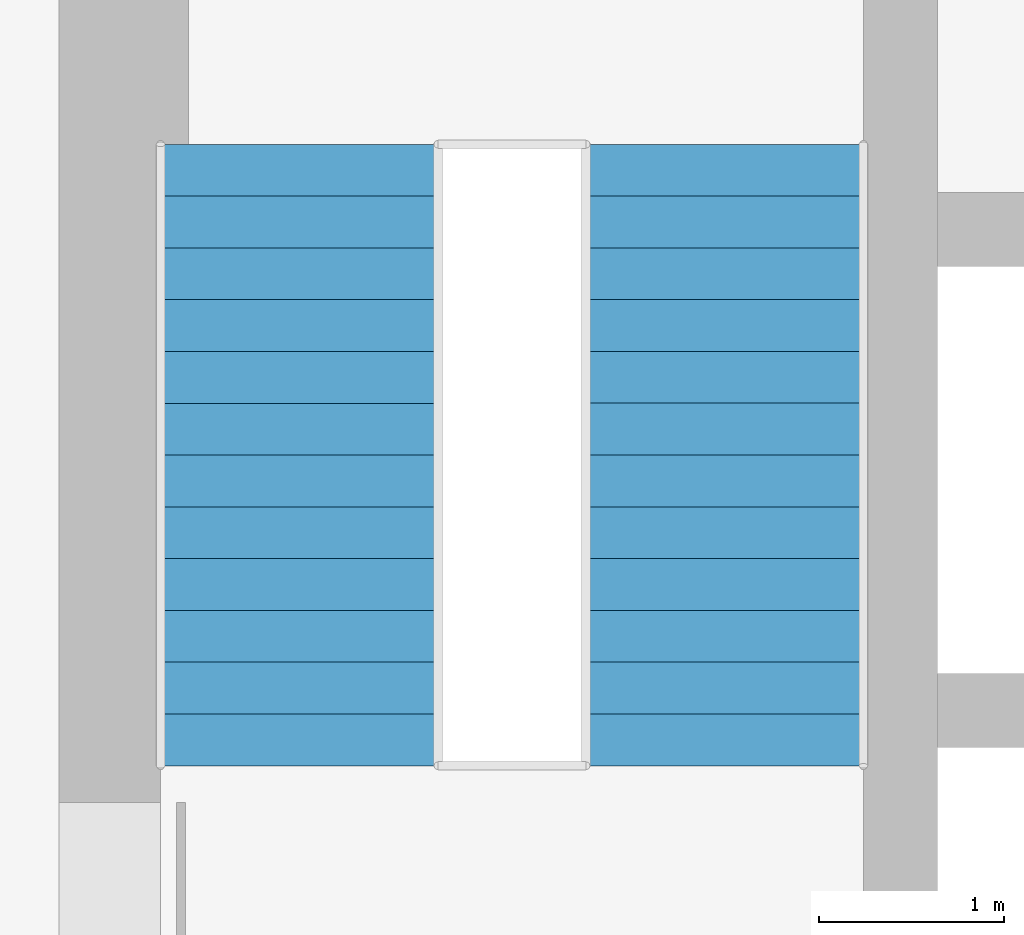
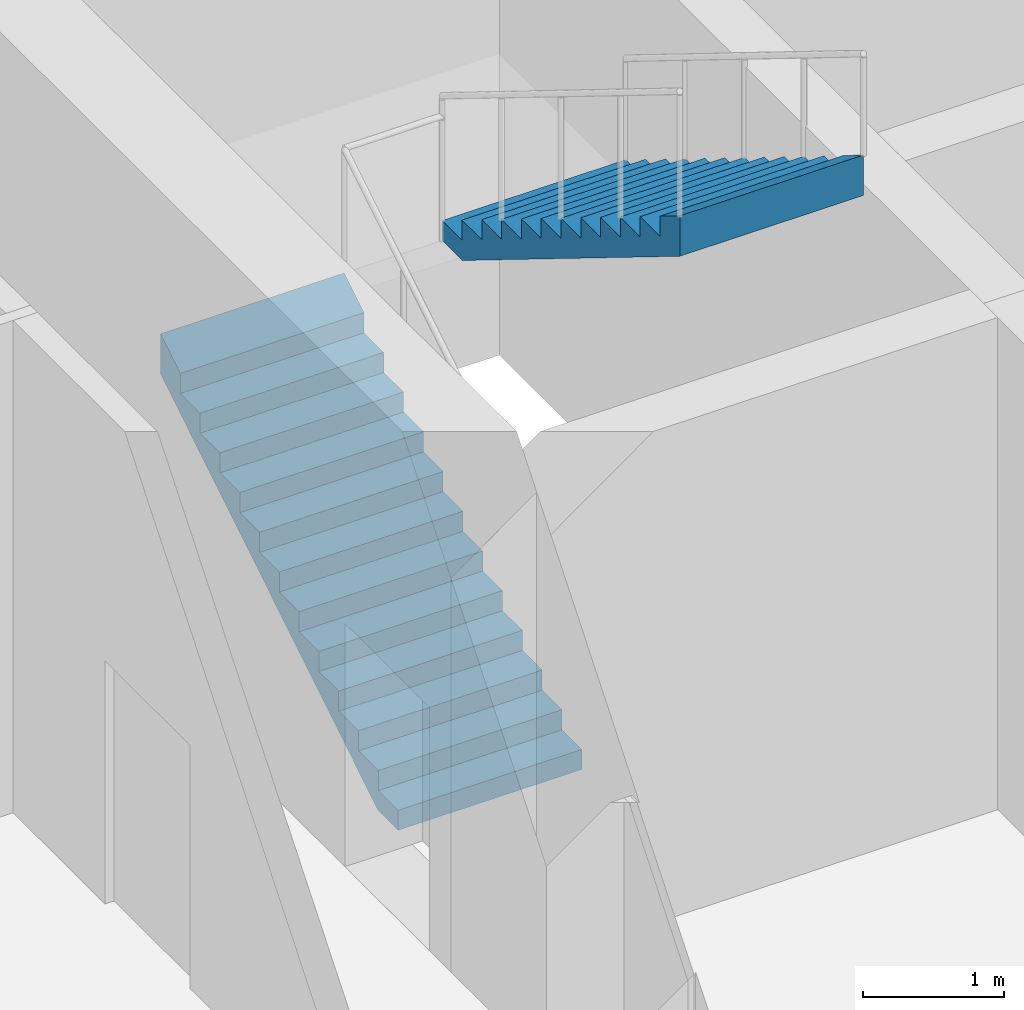
# One storey, part 18 of 31: 2 stair flights, 1 element without a shape of its own.
"""IFC4 building model written with IfcOpenShell, lengths in metres."""

from ifc_helpers import new_model, si_unit, direction, frame, origin, place, context, subcontext, project, spatial, triangles, material, type_object, element, aggregate, save


model = new_model("IFC4")

# Units and contexts
model_context = context("Model", 3, precision=1e-05, world=origin(), true_north=direction((0.0, 1.0)))
body_context = subcontext(model_context, "Body", "Model", "MODEL_VIEW")
ifc_project = project(units=[si_unit("LENGTHUNIT", "METRE"), si_unit("AREAUNIT", "SQUARE_METRE"), si_unit("VOLUMEUNIT", "CUBIC_METRE"), si_unit("PLANEANGLEUNIT", "RADIAN"), si_unit("MASSUNIT", "GRAM", prefix="KILO")], contexts=[model_context])

# Site, building, storey
site_placement = place(None, origin())
site = spatial("IfcSite", under=ifc_project, at=site_placement, CompositionType="ELEMENT")
building_placement = place(site_placement, origin())
building = spatial("IfcBuilding", under=site, at=building_placement, Name="Ludao Terraces", CompositionType="ELEMENT")
storey_placement = place(building_placement, frame((0.0, 0.0, 15.0)))
storey = spatial("IfcBuildingStorey", under=building, at=storey_placement, Name="L03", CompositionType="ELEMENT", Elevation=15.0)

# Stair, stair flights
ifc_material = material(Name="Concrete C40", Category="concrete")
stair_type = type_object("IfcStairType", Name="INT Stair", PredefinedType="HALF_TURN_STAIR", material=ifc_material)
stair_placement = place(storey_placement, origin())
stair = element("IfcStair", 1, at=stair_placement, inside=storey, type_object=stair_type, Name="EXIT STAIR 1", PredefinedType="HALF_TURN_STAIR")
stair_flight_type = type_object("IfcStairFlightType", Name="INT Stair flight", PredefinedType="STRAIGHT", material=ifc_material)
stair_flight_1_placement = place(storey_placement, frame((76.199951171875, 79.0, 0.0), z_axis=(0.0, 0.0, 1.0), x_axis=(0.0, 1.0, 0.0)))
stair_flight_1 = element("IfcStairFlight", 2, at=stair_flight_1_placement, type_object=stair_flight_type, Name="ST1 flight 1", NumberOfRisers=13, NumberOfTreads=12, PredefinedType="STRAIGHT", RiserHeight=0.173077, TreadLength=0.28, context=body_context, shape_type="Tessellation", body=[
    triangles([(0.0, -0.75, 0.0), (0.0, -0.5, 0.0), (0.0, -0.25, 0.0), (0.0, 0.0, 0.0), (0.0, 0.25, 0.0), (0.0, 0.5, 0.0), (0.0, 0.75, 0.0), (0.0, -0.75, 0.173095703125), (0.0, -0.5, 0.173095703125), (0.0, -0.25, 0.173095703125), (0.0, 0.0, 0.173095703125), (0.0, 0.25, 0.173095703125), (0.0, 0.5, 0.173095703125), (0.0, 0.75, 0.173095703125), (0.280029296875, -0.75, 0.173095703125), (0.280029296875, -0.5, 0.173095703125), (0.280029296875, -0.25, 0.173095703125), (0.280029296875, 0.0, 0.173095703125), (0.280029296875, 0.25, 0.173095703125), (0.280029296875, 0.5, 0.173095703125), (0.280029296875, 0.75, 0.173095703125), (0.280029296875, -0.75, 0.34619140625), (0.280029296875, -0.5, 0.34619140625), (0.280029296875, -0.25, 0.34619140625), (0.280029296875, 0.0, 0.34619140625), (0.280029296875, 0.25, 0.34619140625), (0.280029296875, 0.5, 0.34619140625), (0.280029296875, 0.75, 0.34619140625), (0.56005859375, -0.75, 0.34619140625), (0.56005859375, -0.5, 0.34619140625), (0.56005859375, -0.25, 0.34619140625), (0.56005859375, 0.0, 0.34619140625), (0.56005859375, 0.25, 0.34619140625), (0.56005859375, 0.5, 0.34619140625), (0.56005859375, 0.75, 0.34619140625), (0.56005859375, -0.75, 0.519287109375), (0.56005859375, -0.5, 0.519287109375), (0.56005859375, -0.25, 0.519287109375), (0.56005859375, 0.0, 0.519287109375), (0.56005859375, 0.25, 0.519287109375), (0.56005859375, 0.5, 0.519287109375), (0.56005859375, 0.75, 0.519287109375), (0.840087890625, -0.75, 0.519287109375), (0.840087890625, -0.5, 0.519287109375), (0.840087890625, -0.25, 0.519287109375), (0.840087890625, 0.0, 0.519287109375), (0.840087890625, 0.25, 0.519287109375), (0.840087890625, 0.5, 0.519287109375), (0.840087890625, 0.75, 0.519287109375), (0.840087890625, -0.75, 0.6923828125), (0.840087890625, -0.5, 0.6923828125), (0.840087890625, -0.25, 0.6923828125), (0.840087890625, 0.0, 0.6923828125), (0.840087890625, 0.25, 0.6923828125), (0.840087890625, 0.5, 0.6923828125), (0.840087890625, 0.75, 0.6923828125), (1.1201171875, -0.75, 0.6923828125), (1.1201171875, -0.5, 0.6923828125), (1.1201171875, -0.25, 0.6923828125), (1.1201171875, 0.0, 0.6923828125), (1.1201171875, 0.25, 0.6923828125), (1.1201171875, 0.5, 0.6923828125), (1.1201171875, 0.75, 0.6923828125), (1.1201171875, -0.75, 0.865478515625), (1.1201171875, -0.5, 0.865478515625), (1.1201171875, -0.25, 0.865478515625), (1.1201171875, 0.0, 0.865478515625), (1.1201171875, 0.25, 0.865478515625), (1.1201171875, 0.5, 0.865478515625), (1.1201171875, 0.75, 0.865478515625), (1.39990234375, -0.75, 0.865478515625), (1.39990234375, -0.5, 0.865478515625), (1.39990234375, -0.25, 0.865478515625), (1.39990234375, 0.0, 0.865478515625), (1.39990234375, 0.25, 0.865478515625), (1.39990234375, 0.5, 0.865478515625), (1.39990234375, 0.75, 0.865478515625), (1.39990234375, -0.75, 1.03857421875), (1.39990234375, -0.5, 1.03857421875), (1.39990234375, -0.25, 1.03857421875), (1.39990234375, 0.0, 1.03857421875), (1.39990234375, 0.25, 1.03857421875), (1.39990234375, 0.5, 1.03857421875), (1.39990234375, 0.75, 1.03857421875), (1.679931640625, -0.75, 1.03857421875), (1.679931640625, -0.5, 1.03857421875), (1.679931640625, -0.25, 1.03857421875), (1.679931640625, 0.0, 1.03857421875), (1.679931640625, 0.25, 1.03857421875), (1.679931640625, 0.5, 1.03857421875), (1.679931640625, 0.75, 1.03857421875), (1.679931640625, -0.75, 1.21142578125), (1.679931640625, -0.5, 1.21142578125), (1.679931640625, -0.25, 1.21142578125), (1.679931640625, 0.0, 1.21142578125), (1.679931640625, 0.25, 1.21142578125), (1.679931640625, 0.5, 1.21142578125), (1.679931640625, 0.75, 1.21142578125), (1.9599609375, -0.75, 1.21142578125), (1.9599609375, -0.5, 1.21142578125), (1.9599609375, -0.25, 1.21142578125), (1.9599609375, 0.0, 1.21142578125), (1.9599609375, 0.25, 1.21142578125), (1.9599609375, 0.5, 1.21142578125), (1.9599609375, 0.75, 1.21142578125), (1.9599609375, -0.75, 1.384521484375), (1.9599609375, -0.5, 1.384521484375), (1.9599609375, -0.25, 1.384521484375), (1.9599609375, 0.0, 1.384521484375), (1.9599609375, 0.25, 1.384521484375), (1.9599609375, 0.5, 1.384521484375), (1.9599609375, 0.75, 1.384521484375), (2.239990234375, -0.75, 1.384521484375), (2.239990234375, -0.5, 1.384521484375), (2.239990234375, -0.25, 1.384521484375), (2.239990234375, 0.0, 1.384521484375), (2.239990234375, 0.25, 1.384521484375), (2.239990234375, 0.5, 1.384521484375), (2.239990234375, 0.75, 1.384521484375), (2.239990234375, -0.75, 1.5576171875), (2.239990234375, -0.5, 1.5576171875), (2.239990234375, -0.25, 1.5576171875), (2.239990234375, 0.0, 1.5576171875), (2.239990234375, 0.25, 1.5576171875), (2.239990234375, 0.5, 1.5576171875), (2.239990234375, 0.75, 1.5576171875), (2.52001953125, -0.75, 1.5576171875), (2.52001953125, -0.5, 1.5576171875), (2.52001953125, -0.25, 1.5576171875), (2.52001953125, 0.0, 1.5576171875), (2.52001953125, 0.25, 1.5576171875), (2.52001953125, 0.5, 1.5576171875), (2.52001953125, 0.75, 1.5576171875), (2.52001953125, -0.75, 1.730712890625), (2.52001953125, -0.5, 1.730712890625), (2.52001953125, -0.25, 1.730712890625), (2.52001953125, 0.0, 1.730712890625), (2.52001953125, 0.25, 1.730712890625), (2.52001953125, 0.5, 1.730712890625), (2.52001953125, 0.75, 1.730712890625), (2.800048828125, -0.75, 1.730712890625), (2.800048828125, -0.5, 1.730712890625), (2.800048828125, -0.25, 1.730712890625), (2.800048828125, 0.0, 1.730712890625), (2.800048828125, 0.25, 1.730712890625), (2.800048828125, 0.5, 1.730712890625), (2.800048828125, 0.75, 1.730712890625), (2.800048828125, -0.75, 1.90380859375), (2.800048828125, -0.5, 1.90380859375), (2.800048828125, -0.25, 1.90380859375), (2.800048828125, 0.0, 1.90380859375), (2.800048828125, 0.25, 1.90380859375), (2.800048828125, 0.5, 1.90380859375), (2.800048828125, 0.75, 1.90380859375), (3.080078125, -0.75, 1.90380859375), (3.080078125, -0.5, 1.90380859375), (3.080078125, -0.25, 1.90380859375), (3.080078125, 0.0, 1.90380859375), (3.080078125, 0.25, 1.90380859375), (3.080078125, 0.5, 1.90380859375), (3.080078125, 0.75, 1.90380859375), (3.080078125, -0.75, 2.076904296875), (3.080078125, -0.5, 2.076904296875), (3.080078125, -0.25, 2.076904296875), (3.080078125, 0.0, 2.076904296875), (3.080078125, 0.25, 2.076904296875), (3.080078125, 0.5, 2.076904296875), (3.080078125, 0.75, 2.076904296875), (3.360107421875, -0.75, 2.25), (3.360107421875, -0.5, 2.25), (3.360107421875, -0.25, 2.25), (3.360107421875, 0.0, 2.25), (3.360107421875, 0.25, 2.25), (3.360107421875, 0.5, 2.25), (3.360107421875, 0.75, 2.25), (3.360107421875, -0.75, 1.900634765625), (3.360107421875, -0.5, 1.900634765625), (3.360107421875, -0.25, 1.900634765625), (3.360107421875, 0.0, 1.900634765625), (3.360107421875, 0.25, 1.900634765625), (3.360107421875, 0.5, 1.900634765625), (3.360107421875, 0.75, 1.900634765625), (0.28515625, -0.75, 0.0), (0.28515625, -0.5, 0.0), (0.28515625, -0.25, 0.0), (0.28515625, 0.0, 0.0), (0.28515625, 0.25, 0.0), (0.28515625, 0.5, 0.0), (0.28515625, 0.75, 0.0)], [[1, 183, 176], [7, 182, 189], [176, 169, 162], [182, 168, 175], [176, 162, 155], [182, 161, 168], [176, 155, 148], [182, 154, 161], [176, 148, 141], [182, 147, 154], [141, 134, 127], [147, 133, 140], [176, 141, 127], [182, 133, 147], [127, 120, 113], [133, 119, 126], [176, 127, 113], [182, 119, 133], [113, 106, 99], [119, 105, 112], [176, 113, 99], [182, 105, 119], [1, 176, 99], [7, 105, 182], [99, 92, 85], [105, 91, 98], [85, 78, 71], [91, 77, 84], [99, 85, 71], [105, 77, 91], [71, 64, 57], [77, 63, 70], [99, 71, 57], [105, 63, 77], [57, 50, 43], [63, 49, 56], [99, 57, 43], [105, 49, 63], [43, 36, 29], [49, 35, 42], [99, 43, 29], [105, 35, 49], [29, 22, 15], [35, 21, 28], [99, 29, 15], [105, 21, 35], [1, 99, 15], [7, 21, 105], [15, 8, 1], [21, 7, 14], [1, 9, 2], [1, 8, 9], [2, 10, 3], [2, 9, 10], [3, 11, 4], [3, 10, 11], [4, 12, 5], [4, 11, 12], [5, 13, 6], [5, 12, 13], [6, 14, 7], [6, 13, 14], [8, 16, 9], [8, 15, 16], [9, 17, 10], [9, 16, 17], [10, 18, 11], [10, 17, 18], [11, 19, 12], [11, 18, 19], [12, 20, 13], [12, 19, 20], [13, 21, 14], [13, 20, 21], [15, 23, 16], [15, 22, 23], [16, 24, 17], [16, 23, 24], [17, 25, 18], [17, 24, 25], [18, 26, 19], [18, 25, 26], [19, 27, 20], [19, 26, 27], [20, 28, 21], [20, 27, 28], [22, 30, 23], [22, 29, 30], [23, 31, 24], [23, 30, 31], [24, 32, 25], [24, 31, 32], [25, 33, 26], [25, 32, 33], [26, 34, 27], [26, 33, 34], [27, 35, 28], [27, 34, 35], [29, 37, 30], [29, 36, 37], [30, 38, 31], [30, 37, 38], [31, 39, 32], [31, 38, 39], [32, 40, 33], [32, 39, 40], [33, 41, 34], [33, 40, 41], [34, 42, 35], [34, 41, 42], [36, 44, 37], [36, 43, 44], [37, 45, 38], [37, 44, 45], [38, 46, 39], [38, 45, 46], [39, 47, 40], [39, 46, 47], [40, 48, 41], [40, 47, 48], [41, 49, 42], [41, 48, 49], [43, 51, 44], [43, 50, 51], [44, 52, 45], [44, 51, 52], [45, 53, 46], [45, 52, 53], [46, 54, 47], [46, 53, 54], [47, 55, 48], [47, 54, 55], [48, 56, 49], [48, 55, 56], [50, 58, 51], [50, 57, 58], [51, 59, 52], [51, 58, 59], [52, 60, 53], [52, 59, 60], [53, 61, 54], [53, 60, 61], [54, 62, 55], [54, 61, 62], [55, 63, 56], [55, 62, 63], [57, 65, 58], [57, 64, 65], [58, 66, 59], [58, 65, 66], [59, 67, 60], [59, 66, 67], [60, 68, 61], [60, 67, 68], [61, 69, 62], [61, 68, 69], [62, 70, 63], [62, 69, 70], [64, 72, 65], [64, 71, 72], [65, 73, 66], [65, 72, 73], [66, 74, 67], [66, 73, 74], [67, 75, 68], [67, 74, 75], [68, 76, 69], [68, 75, 76], [69, 77, 70], [69, 76, 77], [71, 79, 72], [71, 78, 79], [72, 80, 73], [72, 79, 80], [73, 81, 74], [73, 80, 81], [74, 82, 75], [74, 81, 82], [75, 83, 76], [75, 82, 83], [76, 84, 77], [76, 83, 84], [78, 86, 79], [78, 85, 86], [79, 87, 80], [79, 86, 87], [80, 88, 81], [80, 87, 88], [81, 89, 82], [81, 88, 89], [82, 90, 83], [82, 89, 90], [83, 91, 84], [83, 90, 91], [85, 93, 86], [85, 92, 93], [86, 94, 87], [86, 93, 94], [87, 95, 88], [87, 94, 95], [88, 96, 89], [88, 95, 96], [89, 97, 90], [89, 96, 97], [90, 98, 91], [90, 97, 98], [92, 100, 93], [92, 99, 100], [93, 101, 94], [93, 100, 101], [94, 102, 95], [94, 101, 102], [95, 103, 96], [95, 102, 103], [96, 104, 97], [96, 103, 104], [97, 105, 98], [97, 104, 105], [99, 107, 100], [99, 106, 107], [100, 108, 101], [100, 107, 108], [101, 109, 102], [101, 108, 109], [102, 110, 103], [102, 109, 110], [103, 111, 104], [103, 110, 111], [104, 112, 105], [104, 111, 112], [106, 114, 107], [106, 113, 114], [107, 115, 108], [107, 114, 115], [108, 116, 109], [108, 115, 116], [109, 117, 110], [109, 116, 117], [110, 118, 111], [110, 117, 118], [111, 119, 112], [111, 118, 119], [113, 121, 114], [113, 120, 121], [114, 122, 115], [114, 121, 122], [115, 123, 116], [115, 122, 123], [116, 124, 117], [116, 123, 124], [117, 125, 118], [117, 124, 125], [118, 126, 119], [118, 125, 126], [120, 128, 121], [120, 127, 128], [121, 129, 122], [121, 128, 129], [122, 130, 123], [122, 129, 130], [123, 131, 124], [123, 130, 131], [124, 132, 125], [124, 131, 132], [125, 133, 126], [125, 132, 133], [127, 135, 128], [127, 134, 135], [128, 136, 129], [128, 135, 136], [129, 137, 130], [129, 136, 137], [130, 138, 131], [130, 137, 138], [131, 139, 132], [131, 138, 139], [132, 140, 133], [132, 139, 140], [134, 142, 135], [134, 141, 142], [135, 143, 136], [135, 142, 143], [136, 144, 137], [136, 143, 144], [137, 145, 138], [137, 144, 145], [138, 146, 139], [138, 145, 146], [139, 147, 140], [139, 146, 147], [141, 149, 142], [141, 148, 149], [142, 150, 143], [142, 149, 150], [143, 151, 144], [143, 150, 151], [144, 152, 145], [144, 151, 152], [145, 153, 146], [145, 152, 153], [146, 154, 147], [146, 153, 154], [148, 156, 149], [148, 155, 156], [149, 157, 150], [149, 156, 157], [150, 158, 151], [150, 157, 158], [151, 159, 152], [151, 158, 159], [152, 160, 153], [152, 159, 160], [153, 161, 154], [153, 160, 161], [155, 163, 156], [155, 162, 163], [156, 164, 157], [156, 163, 164], [157, 165, 158], [157, 164, 165], [158, 166, 159], [158, 165, 166], [159, 167, 160], [159, 166, 167], [160, 168, 161], [160, 167, 168], [162, 170, 163], [162, 169, 170], [163, 171, 164], [163, 170, 171], [164, 172, 165], [164, 171, 172], [165, 173, 166], [165, 172, 173], [166, 174, 167], [166, 173, 174], [167, 175, 168], [167, 174, 175], [169, 177, 170], [169, 176, 177], [170, 178, 171], [170, 177, 178], [171, 179, 172], [171, 178, 179], [172, 180, 173], [172, 179, 180], [173, 181, 174], [173, 180, 181], [174, 182, 175], [174, 181, 182], [176, 184, 177], [176, 183, 184], [177, 185, 178], [177, 184, 185], [178, 186, 179], [178, 185, 186], [179, 187, 180], [179, 186, 187], [180, 188, 181], [180, 187, 188], [181, 189, 182], [181, 188, 189], [183, 2, 184], [183, 1, 2], [184, 3, 185], [184, 2, 3], [185, 4, 186], [185, 3, 4], [186, 5, 187], [186, 4, 5], [187, 6, 188], [187, 5, 6], [188, 7, 189], [188, 6, 7]], closed=True),
])
stair_flight_2_placement = place(storey_placement, frame((78.5, 82.360107421875, 2.25), z_axis=(0.0, 0.0, 1.0), x_axis=(0.0, -1.0, 0.0)))
stair_flight_2 = element("IfcStairFlight", 3, at=stair_flight_2_placement, type_object=stair_flight_type, Name="ST1 flight 2", NumberOfRisers=13, NumberOfTreads=12, PredefinedType="STRAIGHT", RiserHeight=0.173077, TreadLength=0.28, context=body_context, shape_type="Tessellation", body=[
    triangles([(0.0, -0.75, 0.0), (0.0, -0.5, 0.0), (0.0, -0.25, 0.0), (0.0, 0.0, 0.0), (0.0, 0.25, 0.0), (0.0, 0.5, 0.0), (0.0, 0.75, 0.0), (0.0, -0.75, 0.173095703125), (0.0, -0.5, 0.173095703125), (0.0, -0.25, 0.173095703125), (0.0, 0.0, 0.173095703125), (0.0, 0.25, 0.173095703125), (0.0, 0.5, 0.173095703125), (0.0, 0.75, 0.173095703125), (0.280029296875, -0.75, 0.173095703125), (0.280029296875, -0.5, 0.173095703125), (0.280029296875, -0.25, 0.173095703125), (0.280029296875, 0.0, 0.173095703125), (0.280029296875, 0.25, 0.173095703125), (0.280029296875, 0.5, 0.173095703125), (0.280029296875, 0.75, 0.173095703125), (0.280029296875, -0.75, 0.34619140625), (0.280029296875, -0.5, 0.34619140625), (0.280029296875, -0.25, 0.34619140625), (0.280029296875, 0.0, 0.34619140625), (0.280029296875, 0.25, 0.34619140625), (0.280029296875, 0.5, 0.34619140625), (0.280029296875, 0.75, 0.34619140625), (0.56005859375, -0.75, 0.34619140625), (0.56005859375, -0.5, 0.34619140625), (0.56005859375, -0.25, 0.34619140625), (0.56005859375, 0.0, 0.34619140625), (0.56005859375, 0.25, 0.34619140625), (0.56005859375, 0.5, 0.34619140625), (0.56005859375, 0.75, 0.34619140625), (0.56005859375, -0.75, 0.519287109375), (0.56005859375, -0.5, 0.519287109375), (0.56005859375, -0.25, 0.519287109375), (0.56005859375, 0.0, 0.519287109375), (0.56005859375, 0.25, 0.519287109375), (0.56005859375, 0.5, 0.519287109375), (0.56005859375, 0.75, 0.519287109375), (0.840087890625, -0.75, 0.519287109375), (0.840087890625, -0.5, 0.519287109375), (0.840087890625, -0.25, 0.519287109375), (0.840087890625, 0.0, 0.519287109375), (0.840087890625, 0.25, 0.519287109375), (0.840087890625, 0.5, 0.519287109375), (0.840087890625, 0.75, 0.519287109375), (0.840087890625, -0.75, 0.6923828125), (0.840087890625, -0.5, 0.6923828125), (0.840087890625, -0.25, 0.6923828125), (0.840087890625, 0.0, 0.6923828125), (0.840087890625, 0.25, 0.6923828125), (0.840087890625, 0.5, 0.6923828125), (0.840087890625, 0.75, 0.6923828125), (1.1201171875, -0.75, 0.6923828125), (1.1201171875, -0.5, 0.6923828125), (1.1201171875, -0.25, 0.6923828125), (1.1201171875, 0.0, 0.6923828125), (1.1201171875, 0.25, 0.6923828125), (1.1201171875, 0.5, 0.6923828125), (1.1201171875, 0.75, 0.6923828125), (1.1201171875, -0.75, 0.865478515625), (1.1201171875, -0.5, 0.865478515625), (1.1201171875, -0.25, 0.865478515625), (1.1201171875, 0.0, 0.865478515625), (1.1201171875, 0.25, 0.865478515625), (1.1201171875, 0.5, 0.865478515625), (1.1201171875, 0.75, 0.865478515625), (1.39990234375, -0.75, 0.865478515625), (1.39990234375, -0.5, 0.865478515625), (1.39990234375, -0.25, 0.865478515625), (1.39990234375, 0.0, 0.865478515625), (1.39990234375, 0.25, 0.865478515625), (1.39990234375, 0.5, 0.865478515625), (1.39990234375, 0.75, 0.865478515625), (1.39990234375, -0.75, 1.03857421875), (1.39990234375, -0.5, 1.03857421875), (1.39990234375, -0.25, 1.03857421875), (1.39990234375, 0.0, 1.03857421875), (1.39990234375, 0.25, 1.03857421875), (1.39990234375, 0.5, 1.03857421875), (1.39990234375, 0.75, 1.03857421875), (1.679931640625, -0.75, 1.03857421875), (1.679931640625, -0.5, 1.03857421875), (1.679931640625, -0.25, 1.03857421875), (1.679931640625, 0.0, 1.03857421875), (1.679931640625, 0.25, 1.03857421875), (1.679931640625, 0.5, 1.03857421875), (1.679931640625, 0.75, 1.03857421875), (1.679931640625, -0.75, 1.21142578125), (1.679931640625, -0.5, 1.21142578125), (1.679931640625, -0.25, 1.21142578125), (1.679931640625, 0.0, 1.21142578125), (1.679931640625, 0.25, 1.21142578125), (1.679931640625, 0.5, 1.21142578125), (1.679931640625, 0.75, 1.21142578125), (1.9599609375, -0.75, 1.21142578125), (1.9599609375, -0.5, 1.21142578125), (1.9599609375, -0.25, 1.21142578125), (1.9599609375, 0.0, 1.21142578125), (1.9599609375, 0.25, 1.21142578125), (1.9599609375, 0.5, 1.21142578125), (1.9599609375, 0.75, 1.21142578125), (1.9599609375, -0.75, 1.384521484375), (1.9599609375, -0.5, 1.384521484375), (1.9599609375, -0.25, 1.384521484375), (1.9599609375, 0.0, 1.384521484375), (1.9599609375, 0.25, 1.384521484375), (1.9599609375, 0.5, 1.384521484375), (1.9599609375, 0.75, 1.384521484375), (2.239990234375, -0.75, 1.384521484375), (2.239990234375, -0.5, 1.384521484375), (2.239990234375, -0.25, 1.384521484375), (2.239990234375, 0.0, 1.384521484375), (2.239990234375, 0.25, 1.384521484375), (2.239990234375, 0.5, 1.384521484375), (2.239990234375, 0.75, 1.384521484375), (2.239990234375, -0.75, 1.5576171875), (2.239990234375, -0.5, 1.5576171875), (2.239990234375, -0.25, 1.5576171875), (2.239990234375, 0.0, 1.5576171875), (2.239990234375, 0.25, 1.5576171875), (2.239990234375, 0.5, 1.5576171875), (2.239990234375, 0.75, 1.5576171875), (2.52001953125, -0.75, 1.5576171875), (2.52001953125, -0.5, 1.5576171875), (2.52001953125, -0.25, 1.5576171875), (2.52001953125, 0.0, 1.5576171875), (2.52001953125, 0.25, 1.5576171875), (2.52001953125, 0.5, 1.5576171875), (2.52001953125, 0.75, 1.5576171875), (2.52001953125, -0.75, 1.730712890625), (2.52001953125, -0.5, 1.730712890625), (2.52001953125, -0.25, 1.730712890625), (2.52001953125, 0.0, 1.730712890625), (2.52001953125, 0.25, 1.730712890625), (2.52001953125, 0.5, 1.730712890625), (2.52001953125, 0.75, 1.730712890625), (2.800048828125, -0.75, 1.730712890625), (2.800048828125, -0.5, 1.730712890625), (2.800048828125, -0.25, 1.730712890625), (2.800048828125, 0.0, 1.730712890625), (2.800048828125, 0.25, 1.730712890625), (2.800048828125, 0.5, 1.730712890625), (2.800048828125, 0.75, 1.730712890625), (2.800048828125, -0.75, 1.90380859375), (2.800048828125, -0.5, 1.90380859375), (2.800048828125, -0.25, 1.90380859375), (2.800048828125, 0.0, 1.90380859375), (2.800048828125, 0.25, 1.90380859375), (2.800048828125, 0.5, 1.90380859375), (2.800048828125, 0.75, 1.90380859375), (3.080078125, -0.75, 1.90380859375), (3.080078125, -0.5, 1.90380859375), (3.080078125, -0.25, 1.90380859375), (3.080078125, 0.0, 1.90380859375), (3.080078125, 0.25, 1.90380859375), (3.080078125, 0.5, 1.90380859375), (3.080078125, 0.75, 1.90380859375), (3.080078125, -0.75, 2.076904296875), (3.080078125, -0.5, 2.076904296875), (3.080078125, -0.25, 2.076904296875), (3.080078125, 0.0, 2.076904296875), (3.080078125, 0.25, 2.076904296875), (3.080078125, 0.5, 2.076904296875), (3.080078125, 0.75, 2.076904296875), (3.360107421875, -0.75, 2.25), (3.360107421875, -0.5, 2.25), (3.360107421875, -0.25, 2.25), (3.360107421875, 0.0, 2.25), (3.360107421875, 0.25, 2.25), (3.360107421875, 0.5, 2.25), (3.360107421875, 0.75, 2.25), (3.360107421875, -0.75, 1.900634765625), (3.360107421875, -0.5, 1.900634765625), (3.360107421875, -0.25, 1.900634765625), (3.360107421875, 0.0, 1.900634765625), (3.360107421875, 0.25, 1.900634765625), (3.360107421875, 0.5, 1.900634765625), (3.360107421875, 0.75, 1.900634765625), (0.28515625, -0.75, 0.0), (0.28515625, -0.5, 0.0), (0.28515625, -0.25, 0.0), (0.28515625, 0.0, 0.0), (0.28515625, 0.25, 0.0), (0.28515625, 0.5, 0.0), (0.28515625, 0.75, 0.0)], [[1, 183, 176], [7, 182, 189], [176, 169, 162], [182, 168, 175], [176, 162, 155], [182, 161, 168], [176, 155, 148], [182, 154, 161], [176, 148, 141], [182, 147, 154], [141, 134, 127], [147, 133, 140], [176, 141, 127], [182, 133, 147], [127, 120, 113], [133, 119, 126], [176, 127, 113], [182, 119, 133], [113, 106, 99], [119, 105, 112], [176, 113, 99], [182, 105, 119], [1, 176, 99], [7, 105, 182], [99, 92, 85], [105, 91, 98], [85, 78, 71], [91, 77, 84], [99, 85, 71], [105, 77, 91], [71, 64, 57], [77, 63, 70], [99, 71, 57], [105, 63, 77], [57, 50, 43], [63, 49, 56], [99, 57, 43], [105, 49, 63], [43, 36, 29], [49, 35, 42], [99, 43, 29], [105, 35, 49], [29, 22, 15], [35, 21, 28], [99, 29, 15], [105, 21, 35], [1, 99, 15], [7, 21, 105], [15, 8, 1], [21, 7, 14], [1, 9, 2], [1, 8, 9], [2, 10, 3], [2, 9, 10], [3, 11, 4], [3, 10, 11], [4, 12, 5], [4, 11, 12], [5, 13, 6], [5, 12, 13], [6, 14, 7], [6, 13, 14], [8, 16, 9], [8, 15, 16], [9, 17, 10], [9, 16, 17], [10, 18, 11], [10, 17, 18], [11, 19, 12], [11, 18, 19], [12, 20, 13], [12, 19, 20], [13, 21, 14], [13, 20, 21], [15, 23, 16], [15, 22, 23], [16, 24, 17], [16, 23, 24], [17, 25, 18], [17, 24, 25], [18, 26, 19], [18, 25, 26], [19, 27, 20], [19, 26, 27], [20, 28, 21], [20, 27, 28], [22, 30, 23], [22, 29, 30], [23, 31, 24], [23, 30, 31], [24, 32, 25], [24, 31, 32], [25, 33, 26], [25, 32, 33], [26, 34, 27], [26, 33, 34], [27, 35, 28], [27, 34, 35], [29, 37, 30], [29, 36, 37], [30, 38, 31], [30, 37, 38], [31, 39, 32], [31, 38, 39], [32, 40, 33], [32, 39, 40], [33, 41, 34], [33, 40, 41], [34, 42, 35], [34, 41, 42], [36, 44, 37], [36, 43, 44], [37, 45, 38], [37, 44, 45], [38, 46, 39], [38, 45, 46], [39, 47, 40], [39, 46, 47], [40, 48, 41], [40, 47, 48], [41, 49, 42], [41, 48, 49], [43, 51, 44], [43, 50, 51], [44, 52, 45], [44, 51, 52], [45, 53, 46], [45, 52, 53], [46, 54, 47], [46, 53, 54], [47, 55, 48], [47, 54, 55], [48, 56, 49], [48, 55, 56], [50, 58, 51], [50, 57, 58], [51, 59, 52], [51, 58, 59], [52, 60, 53], [52, 59, 60], [53, 61, 54], [53, 60, 61], [54, 62, 55], [54, 61, 62], [55, 63, 56], [55, 62, 63], [57, 65, 58], [57, 64, 65], [58, 66, 59], [58, 65, 66], [59, 67, 60], [59, 66, 67], [60, 68, 61], [60, 67, 68], [61, 69, 62], [61, 68, 69], [62, 70, 63], [62, 69, 70], [64, 72, 65], [64, 71, 72], [65, 73, 66], [65, 72, 73], [66, 74, 67], [66, 73, 74], [67, 75, 68], [67, 74, 75], [68, 76, 69], [68, 75, 76], [69, 77, 70], [69, 76, 77], [71, 79, 72], [71, 78, 79], [72, 80, 73], [72, 79, 80], [73, 81, 74], [73, 80, 81], [74, 82, 75], [74, 81, 82], [75, 83, 76], [75, 82, 83], [76, 84, 77], [76, 83, 84], [78, 86, 79], [78, 85, 86], [79, 87, 80], [79, 86, 87], [80, 88, 81], [80, 87, 88], [81, 89, 82], [81, 88, 89], [82, 90, 83], [82, 89, 90], [83, 91, 84], [83, 90, 91], [85, 93, 86], [85, 92, 93], [86, 94, 87], [86, 93, 94], [87, 95, 88], [87, 94, 95], [88, 96, 89], [88, 95, 96], [89, 97, 90], [89, 96, 97], [90, 98, 91], [90, 97, 98], [92, 100, 93], [92, 99, 100], [93, 101, 94], [93, 100, 101], [94, 102, 95], [94, 101, 102], [95, 103, 96], [95, 102, 103], [96, 104, 97], [96, 103, 104], [97, 105, 98], [97, 104, 105], [99, 107, 100], [99, 106, 107], [100, 108, 101], [100, 107, 108], [101, 109, 102], [101, 108, 109], [102, 110, 103], [102, 109, 110], [103, 111, 104], [103, 110, 111], [104, 112, 105], [104, 111, 112], [106, 114, 107], [106, 113, 114], [107, 115, 108], [107, 114, 115], [108, 116, 109], [108, 115, 116], [109, 117, 110], [109, 116, 117], [110, 118, 111], [110, 117, 118], [111, 119, 112], [111, 118, 119], [113, 121, 114], [113, 120, 121], [114, 122, 115], [114, 121, 122], [115, 123, 116], [115, 122, 123], [116, 124, 117], [116, 123, 124], [117, 125, 118], [117, 124, 125], [118, 126, 119], [118, 125, 126], [120, 128, 121], [120, 127, 128], [121, 129, 122], [121, 128, 129], [122, 130, 123], [122, 129, 130], [123, 131, 124], [123, 130, 131], [124, 132, 125], [124, 131, 132], [125, 133, 126], [125, 132, 133], [127, 135, 128], [127, 134, 135], [128, 136, 129], [128, 135, 136], [129, 137, 130], [129, 136, 137], [130, 138, 131], [130, 137, 138], [131, 139, 132], [131, 138, 139], [132, 140, 133], [132, 139, 140], [134, 142, 135], [134, 141, 142], [135, 143, 136], [135, 142, 143], [136, 144, 137], [136, 143, 144], [137, 145, 138], [137, 144, 145], [138, 146, 139], [138, 145, 146], [139, 147, 140], [139, 146, 147], [141, 149, 142], [141, 148, 149], [142, 150, 143], [142, 149, 150], [143, 151, 144], [143, 150, 151], [144, 152, 145], [144, 151, 152], [145, 153, 146], [145, 152, 153], [146, 154, 147], [146, 153, 154], [148, 156, 149], [148, 155, 156], [149, 157, 150], [149, 156, 157], [150, 158, 151], [150, 157, 158], [151, 159, 152], [151, 158, 159], [152, 160, 153], [152, 159, 160], [153, 161, 154], [153, 160, 161], [155, 163, 156], [155, 162, 163], [156, 164, 157], [156, 163, 164], [157, 165, 158], [157, 164, 165], [158, 166, 159], [158, 165, 166], [159, 167, 160], [159, 166, 167], [160, 168, 161], [160, 167, 168], [162, 170, 163], [162, 169, 170], [163, 171, 164], [163, 170, 171], [164, 172, 165], [164, 171, 172], [165, 173, 166], [165, 172, 173], [166, 174, 167], [166, 173, 174], [167, 175, 168], [167, 174, 175], [169, 177, 170], [169, 176, 177], [170, 178, 171], [170, 177, 178], [171, 179, 172], [171, 178, 179], [172, 180, 173], [172, 179, 180], [173, 181, 174], [173, 180, 181], [174, 182, 175], [174, 181, 182], [176, 184, 177], [176, 183, 184], [177, 185, 178], [177, 184, 185], [178, 186, 179], [178, 185, 186], [179, 187, 180], [179, 186, 187], [180, 188, 181], [180, 187, 188], [181, 189, 182], [181, 188, 189], [183, 2, 184], [183, 1, 2], [184, 3, 185], [184, 2, 3], [185, 4, 186], [185, 3, 4], [186, 5, 187], [186, 4, 5], [187, 6, 188], [187, 5, 6], [188, 7, 189], [188, 6, 7]], closed=True),
])
aggregate(stair, [stair_flight_1, stair_flight_2])

save(model, "model.ifc")
